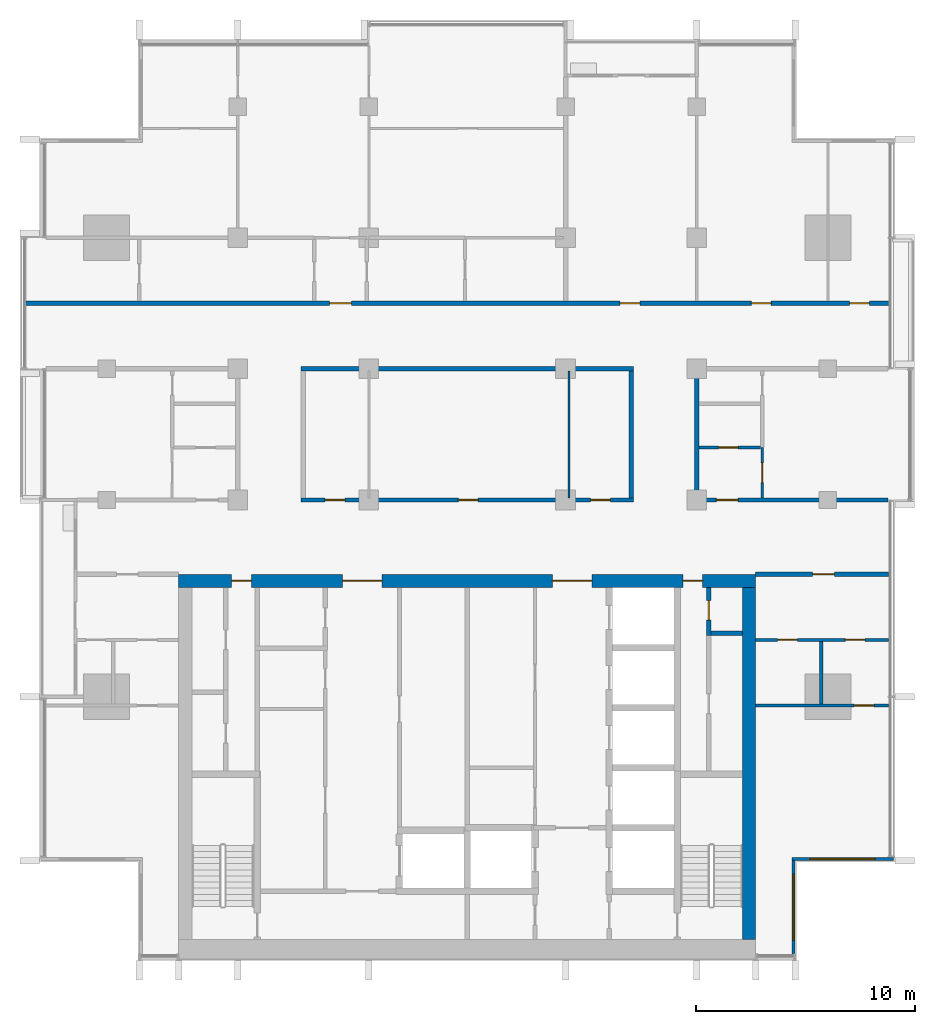
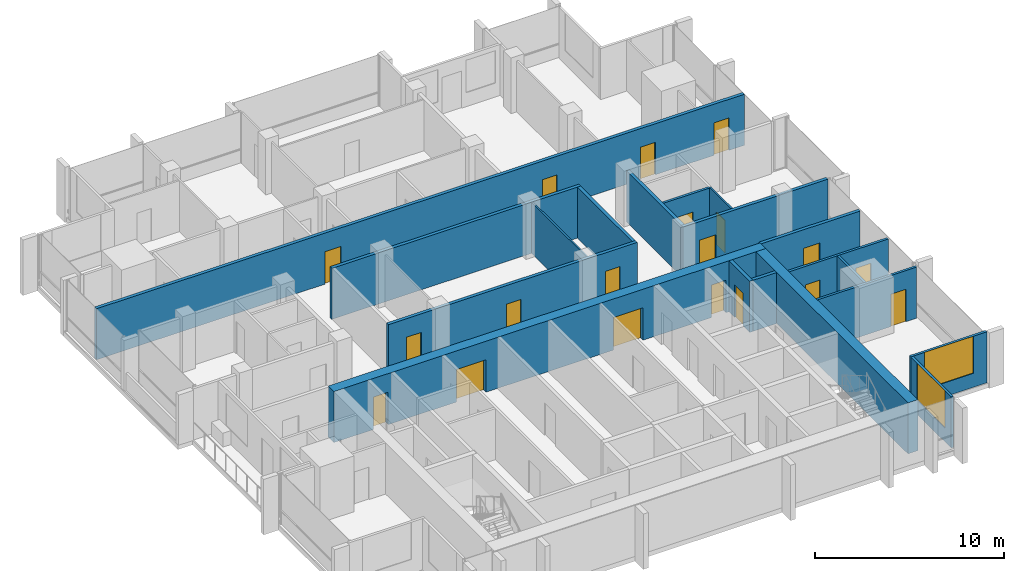
# One storey, part 9 of 16: 19 doors, 19 walls, 2 windows, 21 openings.
"""IFC4 building model written with IfcOpenShell, lengths in metres."""

from ifc_helpers import new_model, si_unit, direction, frame, frame_2d, origin, place, context, subcontext, project, spatial, rectangle, extrude, material, layer, layer_set, type_object, element, fill, save


model = new_model("IFC4")

# Units and contexts
model_context = context("Model", 3, precision=1e-05, world=origin(), true_north=direction((0.0, 1.0)))
body_context = subcontext(model_context, "Body", "Model", "MODEL_VIEW")
ifc_project = project(units=[si_unit("LENGTHUNIT", "METRE"), si_unit("AREAUNIT", "SQUARE_METRE"), si_unit("VOLUMEUNIT", "CUBIC_METRE"), si_unit("PLANEANGLEUNIT", "RADIAN"), si_unit("MASSUNIT", "GRAM", prefix="KILO")], contexts=[model_context])

# Site, building, storey
site_placement = place(None, origin())
site = spatial("IfcSite", under=ifc_project, at=site_placement, CompositionType="ELEMENT")
building_placement = place(site_placement, origin())
building = spatial("IfcBuilding", under=site, at=building_placement, Name="Finial Court Residences", CompositionType="ELEMENT")
storey_placement = place(building_placement, frame((0.0, 0.0, 230.300048828125)))
storey = spatial("IfcBuildingStorey", under=building, at=storey_placement, Name="L58", CompositionType="ELEMENT", Elevation=230.300048828125)

# Wall, openings, doors
ifc_material_1 = material(Name="Concrete C60/75", Category="concrete")
ifc_layer_1 = layer(ifc_material_1, 0.60009765625)
ifc_layer_set_1 = layer_set([ifc_layer_1], Name="Core outer wall 600 Concrete C60/75")
wall_type_1 = type_object("IfcWallType", Name="Core outer wall 600 Concrete C60/75", PredefinedType="SHEAR", material=ifc_layer_set_1)
wall_1_placement = place(storey_placement, frame((-13.199951171875, -8.199951171875, 0.0), z_axis=(0.0, 0.0, 1.0), x_axis=(1.0, 0.0, 0.0)))
wall_1 = element("IfcWall", 1, at=wall_1_placement, inside=storey, type_object=wall_type_1, Name="Core outer wall L58-02", PredefinedType="SHEAR", context=body_context, shape_type="SweptSolid", body=[
    extrude(rectangle(XDim=26.39990234375, YDim=0.60009765625, at=frame_2d((13.199951171875, 0.0))), origin(), (0.0, 0.0, 1.0), 3.300048828125),
])
opening_1_placement = place(wall_1_placement, frame((7.5, 0.0, 0.0)))
opening_1 = element("IfcOpeningElement", 2, at=opening_1_placement, cuts=wall_1, Name="Opening L58-C04", PredefinedType="OPENING", context=body_context, shape_type="SweptSolid", body=[
    extrude(rectangle(XDim=1.800048828125, YDim=2.10009765625, at=frame_2d((0.89990234375, 1.050048828125))), frame((0.0, 0.31005859375, 0.0), z_axis=(0.0, -1.0, 0.0), x_axis=(1.0, 0.0, 0.0)), (0.0, 0.0, 1.0), 0.6201171875),
])
opening_2_placement = place(wall_1_placement, frame((17.10009765625, 0.0, 0.0)))
opening_2 = element("IfcOpeningElement", 3, at=opening_2_placement, cuts=wall_1, Name="Opening L58-C05", PredefinedType="OPENING", context=body_context, shape_type="SweptSolid", body=[
    extrude(rectangle(XDim=1.800048828125, YDim=2.10009765625, at=frame_2d((0.89990234375, 1.050048828125))), frame((0.0, 0.31005859375, 0.0), z_axis=(0.0, -1.0, 0.0), x_axis=(1.0, 0.0, 0.0)), (0.0, 0.0, 1.0), 0.6201171875),
])
opening_3_placement = place(wall_1_placement, frame((2.425048828125, 0.0, 0.0)))
opening_3 = element("IfcOpeningElement", 4, at=opening_3_placement, cuts=wall_1, Name="Opening L58-C11", PredefinedType="OPENING", context=body_context, shape_type="SweptSolid", body=[
    extrude(rectangle(XDim=0.89990234375, YDim=2.10009765625, at=frame_2d((0.449951171875, 1.050048828125))), frame((0.0, 0.31005859375, 0.0), z_axis=(0.0, -1.0, 0.0), x_axis=(1.0, 0.0, 0.0)), (0.0, 0.0, 1.0), 0.6201171875),
])
opening_4_placement = place(wall_1_placement, frame((23.074951171875, 0.0, 0.0)))
opening_4 = element("IfcOpeningElement", 5, at=opening_4_placement, cuts=wall_1, Name="Opening L58-C12", PredefinedType="OPENING", context=body_context, shape_type="SweptSolid", body=[
    extrude(rectangle(XDim=0.89990234375, YDim=2.10009765625, at=frame_2d((0.449951171875, 1.050048828125))), frame((0.0, 0.31005859375, 0.0), z_axis=(0.0, -1.0, 0.0), x_axis=(1.0, 0.0, 0.0)), (0.0, 0.0, 1.0), 0.6201171875),
])
ifc_material_2 = material(Name="Steel fire door", Category="steel")
door_type_1 = type_object("IfcDoorType", Name="Lift lobby door 1800 x 2100 EI 60", OperationType="DOUBLE_DOOR_SINGLE_SWING", PredefinedType="DOOR", material=ifc_material_2)
door_1_placement = place(opening_1_placement, origin())
door_1 = element("IfcDoor", 6, at=door_1_placement, inside=storey, type_object=door_type_1, Name="Lift lobby door L58-C04", OperationType="DOUBLE_DOOR_SINGLE_SWING", OverallHeight=2.10009765625, OverallWidth=1.800048828125, PredefinedType="DOOR", context=body_context, shape_type="SweptSolid", body=[
    extrude(rectangle(XDim=1.800048828125, YDim=2.10009765625, at=frame_2d((0.89990234375, 1.050048828125))), frame((0.0, 0.02490234375, 0.0), z_axis=(0.0, -1.0, 0.0), x_axis=(1.0, 0.0, 0.0)), (0.0, 0.0, 1.0), 0.050048828125),
])
fill(opening_1, door_1)
door_2_placement = place(opening_2_placement, origin())
door_2 = element("IfcDoor", 7, at=door_2_placement, inside=storey, type_object=door_type_1, Name="Lift lobby door L58-C05", OperationType="DOUBLE_DOOR_SINGLE_SWING", OverallHeight=2.10009765625, OverallWidth=1.800048828125, PredefinedType="DOOR", context=body_context, shape_type="SweptSolid", body=[
    extrude(rectangle(XDim=1.800048828125, YDim=2.10009765625, at=frame_2d((0.89990234375, 1.050048828125))), frame((0.0, 0.02490234375, 0.0), z_axis=(0.0, -1.0, 0.0), x_axis=(1.0, 0.0, 0.0)), (0.0, 0.0, 1.0), 0.050048828125),
])
fill(opening_2, door_2)
door_type_2 = type_object("IfcDoorType", Name="Riser room door 900 x 2100 EI 90", OperationType="NOTDEFINED", PredefinedType="DOOR", material=ifc_material_2)
door_3_placement = place(opening_3_placement, origin())
door_3 = element("IfcDoor", 8, at=door_3_placement, inside=storey, type_object=door_type_2, Name="Riser room door L58-C11", OperationType="SINGLE_SWING_RIGHT", OverallHeight=2.10009765625, OverallWidth=0.89990234375, PredefinedType="DOOR", context=body_context, shape_type="SweptSolid", body=[
    extrude(rectangle(XDim=0.89990234375, YDim=2.10009765625, at=frame_2d((0.449951171875, 1.050048828125))), frame((0.0, 0.02490234375, 0.0), z_axis=(0.0, -1.0, 0.0), x_axis=(1.0, 0.0, 0.0)), (0.0, 0.0, 1.0), 0.050048828125),
])
fill(opening_3, door_3)
door_4_placement = place(opening_4_placement, origin())
door_4 = element("IfcDoor", 9, at=door_4_placement, inside=storey, type_object=door_type_2, Name="Riser room door L58-C12", OperationType="SINGLE_SWING_LEFT", OverallHeight=2.10009765625, OverallWidth=0.89990234375, PredefinedType="DOOR", context=body_context, shape_type="SweptSolid", body=[
    extrude(rectangle(XDim=0.89990234375, YDim=2.10009765625, at=frame_2d((0.449951171875, 1.050048828125))), frame((0.0, 0.02490234375, 0.0), z_axis=(0.0, -1.0, 0.0), x_axis=(1.0, 0.0, 0.0)), (0.0, 0.0, 1.0), 0.050048828125),
])
fill(opening_4, door_4)

# Wall
wall_2_placement = place(storey_placement, frame((12.89990234375, -24.60009765625, 0.0), z_axis=(0.0, 0.0, 1.0), x_axis=(0.0, 1.0, 0.0)))
element("IfcWall", 10, at=wall_2_placement, inside=storey, type_object=wall_type_1, Name="Core outer wall L58-04", PredefinedType="SHEAR", context=body_context, shape_type="SweptSolid", body=[
    extrude(rectangle(XDim=16.10009765625, YDim=0.60009765625, at=frame_2d((8.050048828125, 0.0))), origin(), (0.0, 0.0, 1.0), 3.300048828125),
])

# Wall, opening, door
ifc_material_3 = material(Name="Gypsum board")
ifc_layer_2 = layer(ifc_material_3, 0.02490234375)
ifc_material_4 = material(Name="Acoustic mineral wool in double frame")
ifc_layer_3 = layer(ifc_material_4, 0.14990234375)
ifc_layer_4 = layer(ifc_material_3, 0.02490234375)
ifc_layer_set_2 = layer_set([ifc_layer_2, ifc_layer_3, ifc_layer_4], Name="Corridor wall 200, 1 hour")
wall_type_2 = type_object("IfcWallType", Name="Corridor wall 200, 1 hour", PredefinedType="PARTITIONING", material=ifc_layer_set_2)
wall_3_placement = place(storey_placement, frame((13.199951171875, -7.89990234375, 0.0), z_axis=(0.0, 0.0, 1.0), x_axis=(1.0, 0.0, 0.0)))
wall_3 = element("IfcWall", 11, at=wall_3_placement, inside=storey, type_object=wall_type_2, Name="Partition L58-005", PredefinedType="PARTITIONING", context=body_context, shape_type="SweptSolid", body=[
    extrude(rectangle(XDim=6.0625, YDim=0.199951171875, at=frame_2d((3.03125, 0.0))), origin(), (0.0, 0.0, 1.0), 3.300048828125),
])
opening_5_placement = place(wall_3_placement, frame((2.60009765625, 0.0, 0.0)))
opening_5 = element("IfcOpeningElement", 12, at=opening_5_placement, cuts=wall_3, Name="Opening L58-D008", PredefinedType="OPENING", context=body_context, shape_type="SweptSolid", body=[
    extrude(rectangle(XDim=1.0, YDim=2.10009765625, at=frame_2d((0.5, 1.050048828125))), frame((0.0, 0.10986328125, 0.0), z_axis=(0.0, -1.0, 0.0), x_axis=(1.0, 0.0, 0.0)), (0.0, 0.0, 1.0), 0.219970703125),
])
ifc_material_5 = material(Name="Timber door leaf in hollow metal frame", Category="wood")
door_type_3 = type_object("IfcDoorType", Name="Fire door set 1000 x 2100, 30 minutes", OperationType="SINGLE_SWING_LEFT", PredefinedType="DOOR", material=ifc_material_5)
door_5_placement = place(opening_5_placement, origin())
door_5 = element("IfcDoor", 13, at=door_5_placement, inside=storey, type_object=door_type_3, Name="Door L58-D008", OperationType="SINGLE_SWING_RIGHT", OverallHeight=2.10009765625, OverallWidth=1.0, PredefinedType="DOOR", context=body_context, shape_type="SweptSolid", body=[
    extrude(rectangle(XDim=1.0, YDim=2.10009765625, at=frame_2d((0.5, 1.050048828125))), frame((0.0, 0.02490234375, 0.0), z_axis=(0.0, -1.0, 0.0), x_axis=(1.0, 0.0, 0.0)), (0.0, 0.0, 1.0), 0.050048828125),
])
fill(opening_5, door_5)

# Wall, openings, doors
wall_4_placement = place(storey_placement, frame((-7.60009765625, -4.5, 0.0), z_axis=(0.0, 0.0, 1.0), x_axis=(1.0, 0.0, 0.0)))
wall_4 = element("IfcWall", 14, at=wall_4_placement, inside=storey, type_object=wall_type_2, Name="Partition L58-007", PredefinedType="PARTITIONING", context=body_context, shape_type="SweptSolid", body=[
    extrude(rectangle(XDim=15.2001953125, YDim=0.199951171875, at=frame_2d((7.60009765625, 0.0))), origin(), (0.0, 0.0, 1.0), 3.300048828125),
])
opening_6_placement = place(wall_4_placement, frame((1.10009765625, 0.0, 0.0)))
opening_6 = element("IfcOpeningElement", 15, at=opening_6_placement, cuts=wall_4, Name="Opening L58-D010", PredefinedType="OPENING", context=body_context, shape_type="SweptSolid", body=[
    extrude(rectangle(XDim=0.89990234375, YDim=2.10009765625, at=frame_2d((0.449951171875, 1.050048828125))), frame((0.0, 0.10986328125, 0.0), z_axis=(0.0, -1.0, 0.0), x_axis=(1.0, 0.0, 0.0)), (0.0, 0.0, 1.0), 0.219970703125),
])
opening_7_placement = place(wall_4_placement, frame((7.199951171875, 0.0, 0.0)))
opening_7 = element("IfcOpeningElement", 16, at=opening_7_placement, cuts=wall_4, Name="Opening L58-D011", PredefinedType="OPENING", context=body_context, shape_type="SweptSolid", body=[
    extrude(rectangle(XDim=0.89990234375, YDim=2.10009765625, at=frame_2d((0.449951171875, 1.050048828125))), frame((0.0, 0.10986328125, 0.0), z_axis=(0.0, -1.0, 0.0), x_axis=(1.0, 0.0, 0.0)), (0.0, 0.0, 1.0), 0.219970703125),
])
opening_8_placement = place(wall_4_placement, frame((13.25, 0.0, 0.0)))
opening_8 = element("IfcOpeningElement", 17, at=opening_8_placement, cuts=wall_4, Name="Opening L58-D012", PredefinedType="OPENING", context=body_context, shape_type="SweptSolid", body=[
    extrude(rectangle(XDim=0.89990234375, YDim=2.10009765625, at=frame_2d((0.449951171875, 1.050048828125))), frame((0.0, 0.10986328125, 0.0), z_axis=(0.0, -1.0, 0.0), x_axis=(1.0, 0.0, 0.0)), (0.0, 0.0, 1.0), 0.219970703125),
])
door_type_4 = type_object("IfcDoorType", Name="Fire door set 900 x 2100, 30 minutes", OperationType="SINGLE_SWING_LEFT", PredefinedType="DOOR", material=ifc_material_5)
door_6_placement = place(opening_6_placement, origin())
door_6 = element("IfcDoor", 18, at=door_6_placement, inside=storey, type_object=door_type_4, Name="Door L58-D010", OperationType="SINGLE_SWING_RIGHT", OverallHeight=2.10009765625, OverallWidth=0.89990234375, PredefinedType="DOOR", context=body_context, shape_type="SweptSolid", body=[
    extrude(rectangle(XDim=0.89990234375, YDim=2.10009765625, at=frame_2d((0.449951171875, 1.050048828125))), frame((0.0, 0.02490234375, 0.0), z_axis=(0.0, -1.0, 0.0), x_axis=(1.0, 0.0, 0.0)), (0.0, 0.0, 1.0), 0.050048828125),
])
fill(opening_6, door_6)
door_7_placement = place(opening_7_placement, origin())
door_7 = element("IfcDoor", 19, at=door_7_placement, inside=storey, type_object=door_type_4, Name="Door L58-D011", OperationType="SINGLE_SWING_RIGHT", OverallHeight=2.10009765625, OverallWidth=0.89990234375, PredefinedType="DOOR", context=body_context, shape_type="SweptSolid", body=[
    extrude(rectangle(XDim=0.89990234375, YDim=2.10009765625, at=frame_2d((0.449951171875, 1.050048828125))), frame((0.0, 0.02490234375, 0.0), z_axis=(0.0, -1.0, 0.0), x_axis=(1.0, 0.0, 0.0)), (0.0, 0.0, 1.0), 0.050048828125),
])
fill(opening_7, door_7)
door_8_placement = place(opening_8_placement, origin())
door_8 = element("IfcDoor", 20, at=door_8_placement, inside=storey, type_object=door_type_4, Name="Door L58-D012", OperationType="SINGLE_SWING_LEFT", OverallHeight=2.10009765625, OverallWidth=0.89990234375, PredefinedType="DOOR", context=body_context, shape_type="SweptSolid", body=[
    extrude(rectangle(XDim=0.89990234375, YDim=2.10009765625, at=frame_2d((0.449951171875, 1.050048828125))), frame((0.0, 0.02490234375, 0.0), z_axis=(0.0, -1.0, 0.0), x_axis=(1.0, 0.0, 0.0)), (0.0, 0.0, 1.0), 0.050048828125),
])
fill(opening_8, door_8)

# Wall, opening, door
wall_5_placement = place(storey_placement, frame((10.39990234375, -4.5, 0.0), z_axis=(0.0, 0.0, 1.0), x_axis=(1.0, 0.0, 0.0)))
wall_5 = element("IfcWall", 21, at=wall_5_placement, inside=storey, type_object=wall_type_2, Name="Partition L58-008", PredefinedType="PARTITIONING", context=body_context, shape_type="SweptSolid", body=[
    extrude(rectangle(XDim=8.862548828125, YDim=0.199951171875, at=frame_2d((4.43115234375, 0.0))), origin(), (0.0, 0.0, 1.0), 3.300048828125),
])
opening_9_placement = place(wall_5_placement, frame((1.0, 0.0, 0.0)))
opening_9 = element("IfcOpeningElement", 22, at=opening_9_placement, cuts=wall_5, Name="Opening L58-D013", PredefinedType="OPENING", context=body_context, shape_type="SweptSolid", body=[
    extrude(rectangle(XDim=1.0, YDim=2.10009765625, at=frame_2d((0.5, 1.050048828125))), frame((0.0, 0.10986328125, 0.0), z_axis=(0.0, -1.0, 0.0), x_axis=(1.0, 0.0, 0.0)), (0.0, 0.0, 1.0), 0.219970703125),
])
door_9_placement = place(opening_9_placement, origin())
door_9 = element("IfcDoor", 23, at=door_9_placement, inside=storey, type_object=door_type_3, Name="Door L58-D013", OperationType="SINGLE_SWING_RIGHT", OverallHeight=2.10009765625, OverallWidth=1.0, PredefinedType="DOOR", context=body_context, shape_type="SweptSolid", body=[
    extrude(rectangle(XDim=1.0, YDim=2.10009765625, at=frame_2d((0.5, 1.050048828125))), frame((0.0, 0.02490234375, 0.0), z_axis=(0.0, -1.0, 0.0), x_axis=(1.0, 0.0, 0.0)), (0.0, 0.0, 1.0), 0.050048828125),
])
fill(opening_9, door_9)

# Wall
wall_6_placement = place(storey_placement, frame((-7.60009765625, 1.5, 0.0), z_axis=(0.0, 0.0, 1.0), x_axis=(1.0, 0.0, 0.0)))
element("IfcWall", 24, at=wall_6_placement, inside=storey, type_object=wall_type_2, Name="Partition L58-014", PredefinedType="PARTITIONING", context=body_context, shape_type="SweptSolid", body=[
    extrude(rectangle(XDim=15.2001953125, YDim=0.199951171875, at=frame_2d((7.60009765625, 0.0))), origin(), (0.0, 0.0, 1.0), 3.300048828125),
])

# Wall, openings, doors
wall_7_placement = place(storey_placement, frame((-20.25, 4.5, 0.0), z_axis=(0.0, 0.0, 1.0), x_axis=(1.0, 0.0, 0.0)))
wall_7 = element("IfcWall", 25, at=wall_7_placement, inside=storey, type_object=wall_type_2, Name="Partition L58-016", PredefinedType="PARTITIONING", context=body_context, shape_type="SweptSolid", body=[
    extrude(rectangle(XDim=39.60009765625, YDim=0.199951171875, at=frame_2d((19.800048828125, 0.0))), origin(), (0.0, 0.0, 1.0), 3.300048828125),
])
opening_10_placement = place(wall_7_placement, frame((13.949951171875, 0.0, 0.0)))
opening_10 = element("IfcOpeningElement", 26, at=opening_10_placement, cuts=wall_7, Name="Opening L58-D016", PredefinedType="OPENING", context=body_context, shape_type="SweptSolid", body=[
    extrude(rectangle(XDim=1.0, YDim=2.10009765625, at=frame_2d((0.5, 1.050048828125))), frame((0.0, 0.10986328125, 0.0), z_axis=(0.0, -1.0, 0.0), x_axis=(1.0, 0.0, 0.0)), (0.0, 0.0, 1.0), 0.219970703125),
])
opening_11_placement = place(wall_7_placement, frame((27.25, 0.0, 0.0)))
opening_11 = element("IfcOpeningElement", 27, at=opening_11_placement, cuts=wall_7, Name="Opening L58-D017", PredefinedType="OPENING", context=body_context, shape_type="SweptSolid", body=[
    extrude(rectangle(XDim=0.89990234375, YDim=2.10009765625, at=frame_2d((0.449951171875, 1.050048828125))), frame((0.0, 0.10986328125, 0.0), z_axis=(0.0, -1.0, 0.0), x_axis=(1.0, 0.0, 0.0)), (0.0, 0.0, 1.0), 0.219970703125),
])
opening_12_placement = place(wall_7_placement, frame((33.25, 0.0, 0.0)))
opening_12 = element("IfcOpeningElement", 28, at=opening_12_placement, cuts=wall_7, Name="Opening L58-D018", PredefinedType="OPENING", context=body_context, shape_type="SweptSolid", body=[
    extrude(rectangle(XDim=0.89990234375, YDim=2.10009765625, at=frame_2d((0.449951171875, 1.050048828125))), frame((0.0, 0.10986328125, 0.0), z_axis=(0.0, -1.0, 0.0), x_axis=(1.0, 0.0, 0.0)), (0.0, 0.0, 1.0), 0.219970703125),
])
opening_13_placement = place(wall_7_placement, frame((37.75, 0.0, 0.0)))
opening_13 = element("IfcOpeningElement", 29, at=opening_13_placement, cuts=wall_7, Name="Opening L58-D019", PredefinedType="OPENING", context=body_context, shape_type="SweptSolid", body=[
    extrude(rectangle(XDim=0.89990234375, YDim=2.10009765625, at=frame_2d((0.449951171875, 1.050048828125))), frame((0.0, 0.10986328125, 0.0), z_axis=(0.0, -1.0, 0.0), x_axis=(1.0, 0.0, 0.0)), (0.0, 0.0, 1.0), 0.219970703125),
])
door_10_placement = place(opening_10_placement, origin())
door_10 = element("IfcDoor", 30, at=door_10_placement, inside=storey, type_object=door_type_3, Name="Door L58-D016", OperationType="SINGLE_SWING_RIGHT", OverallHeight=2.10009765625, OverallWidth=1.0, PredefinedType="DOOR", context=body_context, shape_type="SweptSolid", body=[
    extrude(rectangle(XDim=1.0, YDim=2.10009765625, at=frame_2d((0.5, 1.050048828125))), frame((0.0, 0.02490234375, 0.0), z_axis=(0.0, -1.0, 0.0), x_axis=(1.0, 0.0, 0.0)), (0.0, 0.0, 1.0), 0.050048828125),
])
fill(opening_10, door_10)
door_11_placement = place(opening_11_placement, origin())
door_11 = element("IfcDoor", 31, at=door_11_placement, inside=storey, type_object=door_type_4, Name="Door L58-D017", OperationType="SINGLE_SWING_LEFT", OverallHeight=2.10009765625, OverallWidth=0.89990234375, PredefinedType="DOOR", context=body_context, shape_type="SweptSolid", body=[
    extrude(rectangle(XDim=0.89990234375, YDim=2.10009765625, at=frame_2d((0.449951171875, 1.050048828125))), frame((0.0, 0.02490234375, 0.0), z_axis=(0.0, -1.0, 0.0), x_axis=(1.0, 0.0, 0.0)), (0.0, 0.0, 1.0), 0.050048828125),
])
fill(opening_11, door_11)
door_12_placement = place(opening_12_placement, origin())
door_12 = element("IfcDoor", 32, at=door_12_placement, inside=storey, type_object=door_type_4, Name="Door L58-D018", OperationType="SINGLE_SWING_LEFT", OverallHeight=2.10009765625, OverallWidth=0.89990234375, PredefinedType="DOOR", context=body_context, shape_type="SweptSolid", body=[
    extrude(rectangle(XDim=0.89990234375, YDim=2.10009765625, at=frame_2d((0.449951171875, 1.050048828125))), frame((0.0, 0.02490234375, 0.0), z_axis=(0.0, -1.0, 0.0), x_axis=(1.0, 0.0, 0.0)), (0.0, 0.0, 1.0), 0.050048828125),
])
fill(opening_12, door_12)
door_13_placement = place(opening_13_placement, origin())
door_13 = element("IfcDoor", 33, at=door_13_placement, inside=storey, type_object=door_type_4, Name="Door L58-D019", OperationType="SINGLE_SWING_LEFT", OverallHeight=2.10009765625, OverallWidth=0.89990234375, PredefinedType="DOOR", context=body_context, shape_type="SweptSolid", body=[
    extrude(rectangle(XDim=0.89990234375, YDim=2.10009765625, at=frame_2d((0.449951171875, 1.050048828125))), frame((0.0, 0.02490234375, 0.0), z_axis=(0.0, -1.0, 0.0), x_axis=(1.0, 0.0, 0.0)), (0.0, 0.0, 1.0), 0.050048828125),
])
fill(opening_13, door_13)

# Walls
for number, where, z_axis, x_axis, name in (
    (34, (7.5, -4.39990234375, 0.0), (0.0, 0.0, 1.0), (0.0, 1.0, 0.0), "Partition L58-037"),
    (35, (10.5, -4.39990234375, 0.0), (0.0, 0.0, 1.0), (0.0, 1.0, 0.0), "Partition L58-038"),
):
    element("IfcWall", number, at=place(storey_placement, frame(where, z_axis=z_axis, x_axis=x_axis)), inside=storey, type_object=wall_type_2, Name=name, PredefinedType="PARTITIONING", context=body_context, shape_type="SweptSolid", body=[
        extrude(rectangle(XDim=5.7998046875, YDim=0.199951171875, at=frame_2d((2.89990234375, 0.0))), origin(), (0.0, 0.0, 1.0), 3.300048828125),
    ])
ifc_layer_5 = layer(ifc_material_3, 0.012451171875)
ifc_material_6 = material(Name="Mineral wool in light-gauge frame")
ifc_layer_6 = layer(ifc_material_6, 0.074951171875)
ifc_layer_7 = layer(ifc_material_3, 0.012451171875)
ifc_layer_set_3 = layer_set([ifc_layer_5, ifc_layer_6, ifc_layer_7], Name="Gypsum board partition 100")
wall_type_3 = type_object("IfcWallType", Name="Gypsum board partition 100", PredefinedType="PARTITIONING", material=ifc_layer_set_3)
wall_8_placement = place(storey_placement, frame((4.64990234375, -4.39990234375, 0.0), z_axis=(0.0, 0.0, 1.0), x_axis=(0.0, 1.0, 0.0)))
element("IfcWall", 36, at=wall_8_placement, inside=storey, type_object=wall_type_3, Name="Partition L58-036", PredefinedType="PARTITIONING", context=body_context, shape_type="SweptSolid", body=[
    extrude(rectangle(XDim=5.7998046875, YDim=0.10009765625, at=frame_2d((2.89990234375, 0.0))), origin(), (0.0, 0.0, 1.0), 3.300048828125),
])

# Wall, opening, door
wall_9_placement = place(storey_placement, frame((13.5, -4.39990234375, 0.0), z_axis=(0.0, 0.0, 1.0), x_axis=(0.0, 1.0, 0.0)))
wall_9 = element("IfcWall", 37, at=wall_9_placement, inside=storey, type_object=wall_type_3, Name="Partition L58-040", PredefinedType="PARTITIONING", context=body_context, shape_type="SweptSolid", body=[
    extrude(rectangle(XDim=2.2998046875, YDim=0.10009765625, at=frame_2d((1.14990234375, 0.0))), origin(), (0.0, 0.0, 1.0), 3.300048828125),
])
opening_14_placement = place(wall_9_placement, frame((0.699951171875, 0.0, 0.0)))
opening_14 = element("IfcOpeningElement", 38, at=opening_14_placement, cuts=wall_9, Name="Opening L58-D031", PredefinedType="OPENING", context=body_context, shape_type="SweptSolid", body=[
    extrude(rectangle(XDim=0.89990234375, YDim=2.10009765625, at=frame_2d((0.449951171875, 1.050048828125))), frame((0.0, 0.06005859375, 0.0), z_axis=(0.0, -1.0, 0.0), x_axis=(1.0, 0.0, 0.0)), (0.0, 0.0, 1.0), 0.1201171875),
])
ifc_material_7 = material(Name="Timber door leaf in timber frame", Category="wood")
door_type_5 = type_object("IfcDoorType", Name="Door set 900 x 2100", OperationType="SINGLE_SWING_LEFT", PredefinedType="DOOR", material=ifc_material_7)
door_14_placement = place(opening_14_placement, origin())
door_14 = element("IfcDoor", 39, at=door_14_placement, inside=storey, type_object=door_type_5, Name="Door L58-D031", OperationType="SINGLE_SWING_RIGHT", OverallHeight=2.10009765625, OverallWidth=0.89990234375, PredefinedType="DOOR", context=body_context, shape_type="SweptSolid", body=[
    extrude(rectangle(XDim=0.89990234375, YDim=2.10009765625, at=frame_2d((0.449951171875, 1.050048828125))), frame((0.0, 0.02490234375, 0.0), z_axis=(0.0, -1.0, 0.0), x_axis=(1.0, 0.0, 0.0)), (0.0, 0.0, 1.0), 0.050048828125),
])
fill(opening_14, door_14)

ifc_material_8 = material(Name="Moisture-resistant gypsum board")
ifc_layer_8 = layer(ifc_material_8, 0.012451171875)
ifc_layer_9 = layer(ifc_material_6, 0.125)
ifc_layer_10 = layer(ifc_material_8, 0.012451171875)
ifc_layer_set_4 = layer_set([ifc_layer_8, ifc_layer_9, ifc_layer_10], Name="Gypsum board wet-area partition 150")
wall_type_4 = type_object("IfcWallType", Name="Gypsum board wet-area partition 150", PredefinedType="PARTITIONING", material=ifc_layer_set_4)
wall_10_placement = place(storey_placement, frame((13.199951171875, -13.89990234375, 0.0), z_axis=(0.0, 0.0, 1.0), x_axis=(1.0, 0.0, 0.0)))
wall_10 = element("IfcWall", 40, at=wall_10_placement, inside=storey, type_object=wall_type_4, Name="Partition L58-001", PredefinedType="PARTITIONING", context=body_context, shape_type="SweptSolid", body=[
    extrude(rectangle(XDim=6.0625, YDim=0.14990234375, at=frame_2d((3.03125, 0.0))), origin(), (0.0, 0.0, 1.0), 3.300048828125),
])
opening_15_placement = place(wall_10_placement, frame((4.5, 0.0, 0.0)))
opening_15 = element("IfcOpeningElement", 41, at=opening_15_placement, cuts=wall_10, Name="Opening L58-D002", PredefinedType="OPENING", context=body_context, shape_type="SweptSolid", body=[
    extrude(rectangle(XDim=0.89990234375, YDim=2.10009765625, at=frame_2d((0.449951171875, 1.050048828125))), frame((0.0, 0.0849609375, 0.0), z_axis=(0.0, -1.0, 0.0), x_axis=(1.0, 0.0, 0.0)), (0.0, 0.0, 1.0), 0.169921875),
])
door_15_placement = place(opening_15_placement, origin())
door_15 = element("IfcDoor", 42, at=door_15_placement, inside=storey, type_object=door_type_5, Name="Door L58-D002", OperationType="SINGLE_SWING_RIGHT", OverallHeight=2.10009765625, OverallWidth=0.89990234375, PredefinedType="DOOR", context=body_context, shape_type="SweptSolid", body=[
    extrude(rectangle(XDim=0.89990234375, YDim=2.10009765625, at=frame_2d((0.449951171875, 1.050048828125))), frame((0.0, 0.02490234375, 0.0), z_axis=(0.0, -1.0, 0.0), x_axis=(1.0, 0.0, 0.0)), (0.0, 0.0, 1.0), 0.050048828125),
])
fill(opening_15, door_15)

# Wall, openings, doors
wall_11_placement = place(storey_placement, frame((13.199951171875, -10.89990234375, 0.0), z_axis=(0.0, 0.0, 1.0), x_axis=(1.0, 0.0, 0.0)))
wall_11 = element("IfcWall", 43, at=wall_11_placement, inside=storey, type_object=wall_type_4, Name="Partition L58-003", PredefinedType="PARTITIONING", context=body_context, shape_type="SweptSolid", body=[
    extrude(rectangle(XDim=6.0625, YDim=0.14990234375, at=frame_2d((3.03125, 0.0))), origin(), (0.0, 0.0, 1.0), 3.300048828125),
])
opening_16_placement = place(wall_11_placement, frame((1.0, 0.0, 0.0)))
opening_16 = element("IfcOpeningElement", 44, at=opening_16_placement, cuts=wall_11, Name="Opening L58-D005", PredefinedType="OPENING", context=body_context, shape_type="SweptSolid", body=[
    extrude(rectangle(XDim=0.89990234375, YDim=2.10009765625, at=frame_2d((0.449951171875, 1.050048828125))), frame((0.0, 0.0849609375, 0.0), z_axis=(0.0, -1.0, 0.0), x_axis=(1.0, 0.0, 0.0)), (0.0, 0.0, 1.0), 0.169921875),
])
opening_17_placement = place(wall_11_placement, frame((4.10009765625, 0.0, 0.0)))
opening_17 = element("IfcOpeningElement", 45, at=opening_17_placement, cuts=wall_11, Name="Opening L58-D006", PredefinedType="OPENING", context=body_context, shape_type="SweptSolid", body=[
    extrude(rectangle(XDim=0.89990234375, YDim=2.10009765625, at=frame_2d((0.449951171875, 1.050048828125))), frame((0.0, 0.0849609375, 0.0), z_axis=(0.0, -1.0, 0.0), x_axis=(1.0, 0.0, 0.0)), (0.0, 0.0, 1.0), 0.169921875),
])
door_16_placement = place(opening_16_placement, origin())
door_16 = element("IfcDoor", 46, at=door_16_placement, inside=storey, type_object=door_type_5, Name="Door L58-D005", OperationType="SINGLE_SWING_LEFT", OverallHeight=2.10009765625, OverallWidth=0.89990234375, PredefinedType="DOOR", context=body_context, shape_type="SweptSolid", body=[
    extrude(rectangle(XDim=0.89990234375, YDim=2.10009765625, at=frame_2d((0.449951171875, 1.050048828125))), frame((0.0, 0.02490234375, 0.0), z_axis=(0.0, -1.0, 0.0), x_axis=(1.0, 0.0, 0.0)), (0.0, 0.0, 1.0), 0.050048828125),
])
fill(opening_16, door_16)
door_17_placement = place(opening_17_placement, origin())
door_17 = element("IfcDoor", 47, at=door_17_placement, inside=storey, type_object=door_type_5, Name="Door L58-D006", OperationType="SINGLE_SWING_RIGHT", OverallHeight=2.10009765625, OverallWidth=0.89990234375, PredefinedType="DOOR", context=body_context, shape_type="SweptSolid", body=[
    extrude(rectangle(XDim=0.89990234375, YDim=2.10009765625, at=frame_2d((0.449951171875, 1.050048828125))), frame((0.0, 0.02490234375, 0.0), z_axis=(0.0, -1.0, 0.0), x_axis=(1.0, 0.0, 0.0)), (0.0, 0.0, 1.0), 0.050048828125),
])
fill(opening_17, door_17)

# Wall, opening, door
wall_12_placement = place(storey_placement, frame((10.60009765625, -2.10009765625, 0.0), z_axis=(0.0, 0.0, 1.0), x_axis=(1.0, 0.0, 0.0)))
wall_12 = element("IfcWall", 48, at=wall_12_placement, inside=storey, type_object=wall_type_4, Name="Partition L58-010", PredefinedType="PARTITIONING", context=body_context, shape_type="SweptSolid", body=[
    extrude(rectangle(XDim=2.824951171875, YDim=0.14990234375, at=frame_2d((1.41259765625, 0.0))), origin(), (0.0, 0.0, 1.0), 3.300048828125),
])
opening_18_placement = place(wall_12_placement, frame((0.89990234375, 0.0, 0.0)))
opening_18 = element("IfcOpeningElement", 49, at=opening_18_placement, cuts=wall_12, Name="Opening L58-D015", PredefinedType="OPENING", context=body_context, shape_type="SweptSolid", body=[
    extrude(rectangle(XDim=0.89990234375, YDim=2.10009765625, at=frame_2d((0.449951171875, 1.050048828125))), frame((0.0, 0.0849609375, 0.0), z_axis=(0.0, -1.0, 0.0), x_axis=(1.0, 0.0, 0.0)), (0.0, 0.0, 1.0), 0.169921875),
])
door_18_placement = place(opening_18_placement, origin())
door_18 = element("IfcDoor", 50, at=door_18_placement, inside=storey, type_object=door_type_5, Name="Door L58-D015", OperationType="SINGLE_SWING_LEFT", OverallHeight=2.10009765625, OverallWidth=0.89990234375, PredefinedType="DOOR", context=body_context, shape_type="SweptSolid", body=[
    extrude(rectangle(XDim=0.89990234375, YDim=2.10009765625, at=frame_2d((0.449951171875, 1.050048828125))), frame((0.0, 0.02490234375, 0.0), z_axis=(0.0, -1.0, 0.0), x_axis=(1.0, 0.0, 0.0)), (0.0, 0.0, 1.0), 0.050048828125),
])
fill(opening_18, door_18)

# Wall
wall_13_placement = place(storey_placement, frame((16.199951171875, -13.824951171875, 0.0), z_axis=(0.0, 0.0, 1.0), x_axis=(0.0, 1.0, 0.0)))
element("IfcWall", 51, at=wall_13_placement, inside=storey, type_object=wall_type_4, Name="Partition L58-042", PredefinedType="PARTITIONING", context=body_context, shape_type="SweptSolid", body=[
    extrude(rectangle(XDim=2.849853515625, YDim=0.14990234375, at=frame_2d((1.4248046875, 0.0))), origin(), (0.0, 0.0, 1.0), 3.300048828125),
])

# Wall, opening, window
ifc_material_9 = material(Name="Natural limestone", Category="masonry")
ifc_layer_11 = layer(ifc_material_9, 0.14990234375)
ifc_layer_set_5 = layer_set([ifc_layer_11], Name="Limestone clad wall 150")
wall_type_5 = type_object("IfcWallType", Name="Limestone clad wall 150", PredefinedType="SOLIDWALL", material=ifc_layer_set_5)
wall_14_placement = place(storey_placement, frame((14.925048828125, -21.0, 0.0), z_axis=(0.0, 0.0, 1.0), x_axis=(0.0, -1.0, 0.0)))
wall_14 = element("IfcWall", 52, at=wall_14_placement, inside=storey, type_object=wall_type_5, Name="E-L58-NWE15", PredefinedType="SOLIDWALL", context=body_context, shape_type="SweptSolid", body=[
    extrude(rectangle(XDim=4.262451171875, YDim=0.14990234375, at=frame_2d((2.13134765625, 0.0))), origin(), (0.0, 0.0, 1.0), 3.300048828125),
])
opening_19_placement = place(wall_14_placement, frame((0.63134765625, 0.0, 0.89990234375)))
opening_19 = element("IfcOpeningElement", 53, at=opening_19_placement, cuts=wall_14, Name="Opening WE58-03", PredefinedType="OPENING", context=body_context, shape_type="SweptSolid", body=[
    extrude(rectangle(XDim=3.0, YDim=2.39990234375, at=frame_2d((1.5, 1.199951171875))), frame((0.0, 0.0849609375, 0.0), z_axis=(0.0, -1.0, 0.0), x_axis=(1.0, 0.0, 0.0)), (0.0, 0.0, 1.0), 0.169921875),
])
ifc_material_10 = material(Name="Clear low-e glass", Category="glass")
window_type = type_object("IfcWindowType", Name="Corner window 3000 x 2400", PartitioningType="SINGLE_PANEL", PredefinedType="WINDOW", material=ifc_material_10)
window_1_placement = place(opening_19_placement, origin())
window_1 = element("IfcWindow", 54, at=window_1_placement, inside=storey, type_object=window_type, Name="E-L58-NWE15-W1", OverallHeight=2.39990234375, OverallWidth=3.0, PartitioningType="SINGLE_PANEL", PredefinedType="WINDOW", context=body_context, shape_type="SweptSolid", body=[
    extrude(rectangle(XDim=3.0, YDim=2.39990234375, at=frame_2d((1.5, 1.199951171875))), frame((0.0, 0.030029296875, 0.0), z_axis=(0.0, -1.0, 0.0), x_axis=(1.0, 0.0, 0.0)), (0.0, 0.0, 1.0), 0.06005859375),
])
fill(opening_19, window_1)

wall_15_placement = place(storey_placement, frame((19.5, -20.925048828125, 0.0), z_axis=(0.0, 0.0, 1.0), x_axis=(-1.0, 0.0, 0.0)))
wall_15 = element("IfcWall", 55, at=wall_15_placement, inside=storey, type_object=wall_type_5, Name="E-L58-NWS16", PredefinedType="SOLIDWALL", context=body_context, shape_type="SweptSolid", body=[
    extrude(rectangle(XDim=4.64990234375, YDim=0.14990234375, at=frame_2d((2.324951171875, 0.0))), origin(), (0.0, 0.0, 1.0), 3.300048828125),
])
opening_20_placement = place(wall_15_placement, frame((0.824951171875, 0.0, 0.89990234375)))
opening_20 = element("IfcOpeningElement", 56, at=opening_20_placement, cuts=wall_15, Name="Opening WE58-04", PredefinedType="OPENING", context=body_context, shape_type="SweptSolid", body=[
    extrude(rectangle(XDim=3.0, YDim=2.39990234375, at=frame_2d((1.5, 1.199951171875))), frame((0.0, 0.0849609375, 0.0), z_axis=(0.0, -1.0, 0.0), x_axis=(1.0, 0.0, 0.0)), (0.0, 0.0, 1.0), 0.169921875),
])
window_2_placement = place(opening_20_placement, origin())
window_2 = element("IfcWindow", 57, at=window_2_placement, inside=storey, type_object=window_type, Name="E-L58-NWS16-W1", OverallHeight=2.39990234375, OverallWidth=3.0, PartitioningType="SINGLE_PANEL", PredefinedType="WINDOW", context=body_context, shape_type="SweptSolid", body=[
    extrude(rectangle(XDim=3.0, YDim=2.39990234375, at=frame_2d((1.5, 1.199951171875))), frame((0.0, 0.030029296875, 0.0), z_axis=(0.0, -1.0, 0.0), x_axis=(1.0, 0.0, 0.0)), (0.0, 0.0, 1.0), 0.06005859375),
])
fill(opening_20, window_2)

# Wall
ifc_material_11 = material(Name="Fire-rated gypsum board partition")
ifc_layer_12 = layer(ifc_material_11, 0.199951171875)
ifc_layer_set_6 = layer_set([ifc_layer_12], Name="Riser room wall 200 EI 120")
wall_type_6 = type_object("IfcWallType", Name="Riser room wall 200 EI 120", PredefinedType="PARTITIONING", material=ifc_layer_set_6)
wall_16_placement = place(storey_placement, frame((11.14990234375, -10.60009765625, 0.0), z_axis=(0.0, 0.0, 1.0), x_axis=(1.0, 0.0, 0.0)))
element("IfcWall", 58, at=wall_16_placement, inside=storey, type_object=wall_type_6, Name="Core partition L58-17", PredefinedType="PARTITIONING", context=body_context, shape_type="SweptSolid", body=[
    extrude(rectangle(XDim=1.4501953125, YDim=0.199951171875, at=frame_2d((0.72509765625, 0.0))), origin(), (0.0, 0.0, 1.0), 3.300048828125),
])

# Wall, opening, door
wall_17_placement = place(storey_placement, frame((11.050048828125, -8.5, 0.0), z_axis=(0.0, 0.0, 1.0), x_axis=(0.0, -1.0, 0.0)))
wall_17 = element("IfcWall", 59, at=wall_17_placement, inside=storey, type_object=wall_type_6, Name="Core partition L58-38", PredefinedType="PARTITIONING", context=body_context, shape_type="SweptSolid", body=[
    extrude(rectangle(XDim=2.199951171875, YDim=0.199951171875, at=frame_2d((1.10009765625, 0.0))), origin(), (0.0, 0.0, 1.0), 3.300048828125),
])
opening_21_placement = place(wall_17_placement, frame((0.60009765625, 0.0, 0.0)))
opening_21 = element("IfcOpeningElement", 60, at=opening_21_placement, cuts=wall_17, Name="Opening L58-C08", PredefinedType="OPENING", context=body_context, shape_type="SweptSolid", body=[
    extrude(rectangle(XDim=0.89990234375, YDim=2.10009765625, at=frame_2d((0.449951171875, 1.050048828125))), frame((0.0, 0.10986328125, 0.0), z_axis=(0.0, -1.0, 0.0), x_axis=(1.0, 0.0, 0.0)), (0.0, 0.0, 1.0), 0.219970703125),
])
door_19_placement = place(opening_21_placement, origin())
door_19 = element("IfcDoor", 61, at=door_19_placement, inside=storey, type_object=door_type_2, Name="Riser room door L58-C08", OperationType="SINGLE_SWING_RIGHT", OverallHeight=2.10009765625, OverallWidth=0.89990234375, PredefinedType="DOOR", context=body_context, shape_type="SweptSolid", body=[
    extrude(rectangle(XDim=0.89990234375, YDim=2.10009765625, at=frame_2d((0.449951171875, 1.050048828125))), frame((0.0, 0.02490234375, 0.0), z_axis=(0.0, -1.0, 0.0), x_axis=(1.0, 0.0, 0.0)), (0.0, 0.0, 1.0), 0.050048828125),
])
fill(opening_21, door_19)

save(model, "model.ifc")
